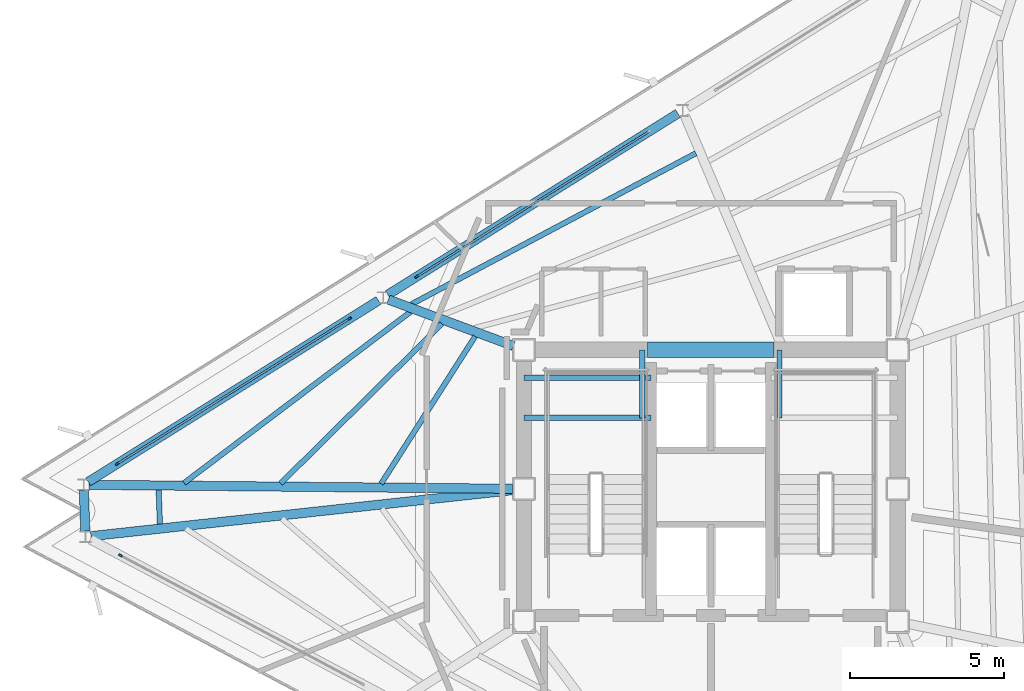
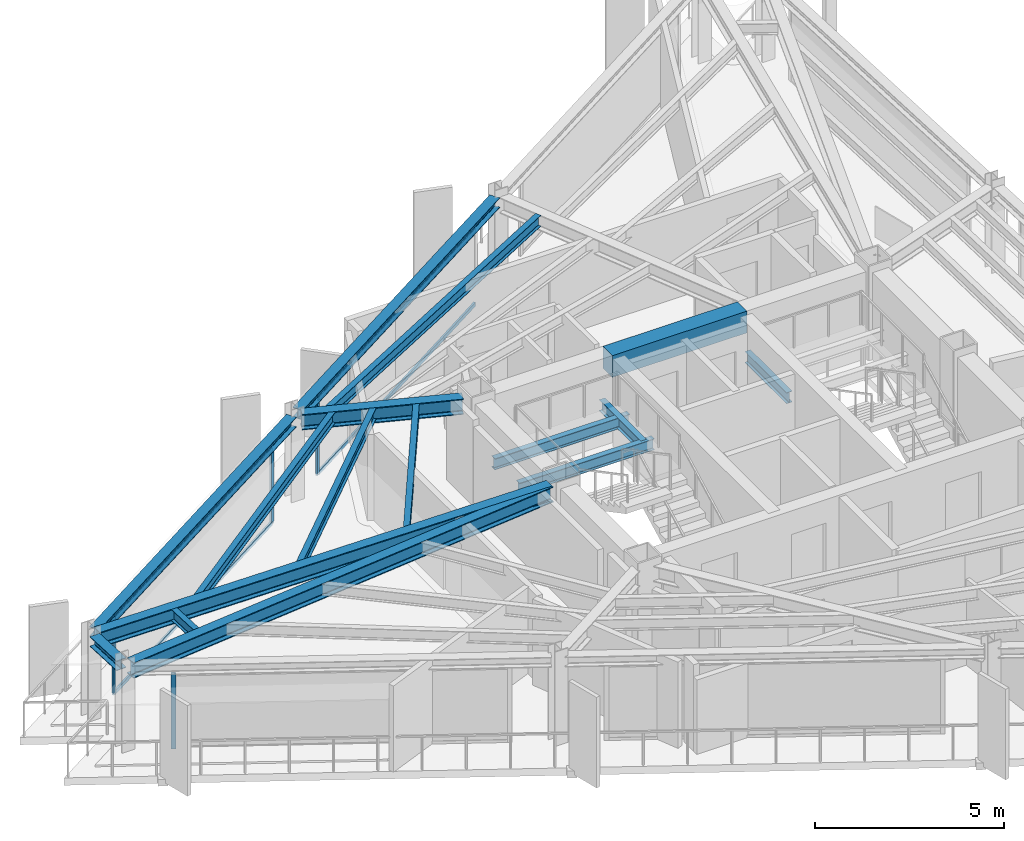
# One storey, part 4 of 12: 16 beams, 8 members, 3 elements without a shape of their own.
"""IFC4 building model written with IfcOpenShell, lengths in metres."""

from ifc_helpers import new_model, si_unit, direction, frame, origin, origin_2d, place, context, subcontext, project, spatial, rectangle, i_section, extrude, material, layer, layer_set, material_profile, profile_set, type_object, element, aggregate, save


model = new_model("IFC4")

# Units and contexts
model_context = context("Model", 3, precision=1e-05, world=origin(), true_north=direction((0.0, 1.0)))
body_context = subcontext(model_context, "Body", "Model", "MODEL_VIEW")
ifc_project = project(units=[si_unit("LENGTHUNIT", "METRE"), si_unit("AREAUNIT", "SQUARE_METRE"), si_unit("VOLUMEUNIT", "CUBIC_METRE"), si_unit("PLANEANGLEUNIT", "RADIAN"), si_unit("MASSUNIT", "GRAM", prefix="KILO")], contexts=[model_context])

# Site, building, storey
site_placement = place(None, origin())
site = spatial("IfcSite", under=ifc_project, at=site_placement, CompositionType="ELEMENT")
building_placement = place(site_placement, origin())
building = spatial("IfcBuilding", under=site, at=building_placement, Name="Rocaltana Carrier Exchange", CompositionType="ELEMENT")
storey_placement = place(building_placement, frame((0.0, 0.0, 205.760009765625)))
storey = spatial("IfcBuildingStorey", under=building, at=storey_placement, Name="L65", CompositionType="ELEMENT", Elevation=205.760009765625)

# Curtain wall, member
ifc_material_1 = material(Name="Aluminium 6063-T6", Category="aluminium")
ifc_layer = layer(ifc_material_1, 0.1201171875)
ifc_layer_set = layer_set([ifc_layer], Name="Aluminium 6063-T6")
curtain_wall_type = type_object("IfcCurtainWallType", Name="High-Altitude Thermal Curtain Wall CW-05", PredefinedType="NOTDEFINED", material=ifc_layer_set)
curtain_wall_1_placement = place(storey_placement, origin())
curtain_wall_1 = element("IfcCurtainWall", 1, at=curtain_wall_1_placement, inside=storey, type_object=curtain_wall_type, Name="L65 CW-05 Run CW-L65-F2S2", PredefinedType="NOTDEFINED")
ifc_material_2 = material(Name="Aluminium 6063-T6", Category="aluminium")
ifc_material_profile_1 = material_profile(ifc_material_2, rectangle(XDim=0.06005859375, YDim=0.1201171875, at=origin_2d()), Name="AL-60X120")
ifc_profile_set_1 = profile_set([ifc_material_profile_1], Name="Aluminium 6063-T6")
member_type_1 = type_object("IfcMemberType", Name="CW-05 Mullion AL-60X120", PredefinedType="MULLION", material=ifc_profile_set_1)
member_1_placement = place(storey_placement, frame((-9.52490234375, 6.870849609375, 0.0), z_axis=(0.0, 0.0, 1.0), x_axis=(0.529920452816, -0.848047353446, 0.0)))
member_1 = element("IfcMember", 2, at=member_1_placement, type_object=member_type_1, Name="CW-05 mullion 2", PredefinedType="MULLION", context=body_context, shape_type="SweptSolid", body=[
    extrude(rectangle(XDim=0.06005859375, YDim=0.1201171875, at=origin_2d()), origin(), (0.0, 0.0, 1.0), 2.447998046875),
])

# Curtain wall, members
curtain_wall_2_placement = place(storey_placement, origin())
curtain_wall_2 = element("IfcCurtainWall", 3, at=curtain_wall_2_placement, inside=storey, type_object=curtain_wall_type, Name="L65 CW-05 Run CW-L65-F2S3", PredefinedType="NOTDEFINED")
member_2_placement = place(storey_placement, frame((-11.696044921875, 5.514404296875, 0.0), z_axis=(0.0, 0.0, 1.0), x_axis=(0.529915422228, -0.848050496896, 0.0)))
member_2 = element("IfcMember", 4, at=member_2_placement, type_object=member_type_1, Name="CW-05 mullion 1", PredefinedType="MULLION", context=body_context, shape_type="SweptSolid", body=[
    extrude(rectangle(XDim=0.06005859375, YDim=0.1201171875, at=origin_2d()), origin(), (0.0, 0.0, 1.0), 2.447998046875),
])
member_3_placement = place(storey_placement, frame((-19.220947265625, 0.812255859375, 0.0), z_axis=(0.0, 0.0, 1.0), x_axis=(0.529915422228, -0.848050496896, 0.0)))
member_3 = element("IfcMember", 5, at=member_3_placement, type_object=member_type_1, Name="CW-05 mullion 2", PredefinedType="MULLION", context=body_context, shape_type="SweptSolid", body=[
    extrude(rectangle(XDim=0.06005859375, YDim=0.1201171875, at=origin_2d()), origin(), (0.0, 0.0, 1.0), 2.447998046875),
])

# Curtain wall, member
curtain_wall_3_placement = place(storey_placement, origin())
curtain_wall_3 = element("IfcCurtainWall", 6, at=curtain_wall_3_placement, inside=storey, type_object=curtain_wall_type, Name="L65 CW-05 Run CW-L65-F3S1", PredefinedType="NOTDEFINED")
member_4_placement = place(storey_placement, frame((-19.11767578125, -2.15087890625, 0.0), z_axis=(0.0, 0.0, 1.0), x_axis=(0.469483388841, 0.882941304732, 0.0)))
member_4 = element("IfcMember", 7, at=member_4_placement, type_object=member_type_1, Name="CW-05 mullion 1", PredefinedType="MULLION", context=body_context, shape_type="SweptSolid", body=[
    extrude(rectangle(XDim=0.06005859375, YDim=0.1201171875, at=origin_2d()), origin(), (0.0, 0.0, 1.0), 2.447998046875),
])
aggregate(curtain_wall_3, [member_4])

# Member
ifc_material_3 = material(Name="Aluminium 6063-T6", Category="aluminium")
ifc_material_profile_2 = material_profile(ifc_material_3, rectangle(XDim=0.06005859375, YDim=0.1201171875, at=origin_2d()), Name="AL-60X120")
ifc_profile_set_2 = profile_set([ifc_material_profile_2], Name="Aluminium 6063-T6")
member_type_2 = type_object("IfcMemberType", Name="CW-05 Transom AL-60X120", PredefinedType="USERDEFINED", material=ifc_profile_set_2)
member_5_placement = place(storey_placement, frame((-2.025390625, 11.55712890625, 0.030029296875), z_axis=(-0.848044988156, -0.529924238042, 0.0), x_axis=(0.529924238042, -0.848044988156, 0.0)))
member_5 = element("IfcMember", 8, at=member_5_placement, type_object=member_type_2, Name="CW-05 transom 1.1", ObjectType="TRANSOM", PredefinedType="USERDEFINED", context=body_context, shape_type="SweptSolid", body=[
    extrude(rectangle(XDim=0.06005859375, YDim=0.1201171875, at=origin_2d()), origin(), (0.0, 0.0, 1.0), 8.813232421875),
])

member_6_placement = place(storey_placement, frame((-2.025390625, 11.55712890625, 2.41796875), z_axis=(-0.848044988156, -0.529924238042, 0.0), x_axis=(0.529924238042, -0.848044988156, 0.0)))
member_6 = element("IfcMember", 9, at=member_6_placement, type_object=member_type_2, Name="CW-05 transom 1.2", ObjectType="TRANSOM", PredefinedType="USERDEFINED", context=body_context, shape_type="SweptSolid", body=[
    extrude(rectangle(XDim=0.06005859375, YDim=0.1201171875, at=origin_2d()), origin(), (0.0, 0.0, 1.0), 8.813232421875),
])

aggregate(curtain_wall_1, [member_1, member_5, member_6])

member_7_placement = place(storey_placement, frame((-11.721435546875, 5.498291015625, 0.030029296875), z_axis=(-0.848057437019, -0.529904315435, 0.0), x_axis=(0.529904315435, -0.848057437019, 0.0)))
member_7 = element("IfcMember", 10, at=member_7_placement, type_object=member_type_2, Name="CW-05 transom 1.1", ObjectType="TRANSOM", PredefinedType="USERDEFINED", context=body_context, shape_type="SweptSolid", body=[
    extrude(rectangle(XDim=0.06005859375, YDim=0.1201171875, at=origin_2d()), origin(), (0.0, 0.0, 1.0), 8.813232421875),
])

member_8_placement = place(storey_placement, frame((-11.721435546875, 5.498291015625, 2.41796875), z_axis=(-0.848057437019, -0.529904315435, 0.0), x_axis=(0.529904315435, -0.848057437019, 0.0)))
member_8 = element("IfcMember", 11, at=member_8_placement, type_object=member_type_2, Name="CW-05 transom 1.2", ObjectType="TRANSOM", PredefinedType="USERDEFINED", context=body_context, shape_type="SweptSolid", body=[
    extrude(rectangle(XDim=0.06005859375, YDim=0.1201171875, at=origin_2d()), origin(), (0.0, 0.0, 1.0), 8.813232421875),
])

aggregate(curtain_wall_2, [member_2, member_3, member_7, member_8])

# Beams
ifc_material_4 = material(Name="Concrete C60/75", Category="concrete")
ifc_material_profile_3 = material_profile(ifc_material_4, rectangle(XDim=0.5, YDim=0.699951171875, at=origin_2d()), Name="RC-BM-500X700")
ifc_profile_set_3 = profile_set([ifc_material_profile_3], Name="Concrete C60/75")
beam_type_1 = type_object("IfcBeamType", Name="Core Coupling Lintel 500x700", PredefinedType="LINTEL", material=ifc_profile_set_3)
beam_1_placement = place(storey_placement, frame((-2.050048828125, 4.5, 2.447998046875), z_axis=(1.0, 0.0, 0.0), x_axis=(0.0, 1.0, 0.0)))
element("IfcBeam", 12, at=beam_1_placement, inside=storey, type_object=beam_type_1, Name="L65 Core Coupling Lintel CL-N", PredefinedType="LINTEL", context=body_context, shape_type="SweptSolid", body=[
    extrude(rectangle(XDim=0.5, YDim=0.699951171875, at=origin_2d()), origin(), (0.0, 0.0, 1.0), 4.10009765625),
])
ifc_material_5 = material(Name="Steel S355", Category="steel")
ifc_material_profile_4 = material_profile(ifc_material_5, i_section(OverallWidth=0.172119140625, OverallDepth=0.35791015625, WebThickness=0.0078125, FlangeThickness=0.01318359375, FilletRadius=0.011962890625, at=origin_2d()), Name="W14X38")
ifc_profile_set_4 = profile_set([ifc_material_profile_4], Name="Steel S355")
beam_type_2 = type_object("IfcBeamType", Name="Floor Joist W14X38", PredefinedType="JOIST", material=ifc_profile_set_4)
for number, where, z_axis, x_axis, name in (
    (13, (-6.050048828125, 2.300048828125, 1.140869140625), (1.0, 0.0, 0.0), (0.0, 1.0, 0.0), "L65 ST-1 Landing Carrier 1"),
    (14, (-6.050048828125, 3.60009765625, 1.140869140625), (1.0, 0.0, 0.0), (0.0, 1.0, 0.0), "L65 ST-1 Landing Carrier 2"),
):
    element("IfcBeam", number, at=place(storey_placement, frame(where, z_axis=z_axis, x_axis=x_axis)), inside=storey, type_object=beam_type_2, Name=name, PredefinedType="JOIST", context=body_context, shape_type="SweptSolid", body=[
        extrude(i_section(OverallWidth=0.172119140625, OverallDepth=0.35791015625, WebThickness=0.0078125, FlangeThickness=0.01318359375, FilletRadius=0.011962890625, at=origin_2d()), origin(), (0.0, 0.0, 1.0), 4.110107421875),
    ])
for number, where, z_axis, x_axis, name in (
    (15, (-2.219970703125, 2.300048828125, 1.140869140625), (0.0, 1.0, 0.0), (-1.0, 0.0, 0.0), "L65 ST-1 Landing Cross Trimmer"),
    (16, (2.219970703125, 2.300048828125, 1.140869140625), (0.0, 1.0, 0.0), (-1.0, 0.0, 0.0), "L65 ST-2 Landing Cross Trimmer"),
):
    element("IfcBeam", number, at=place(storey_placement, frame(where, z_axis=z_axis, x_axis=x_axis)), inside=storey, type_object=beam_type_2, Name=name, PredefinedType="JOIST", context=body_context, shape_type="SweptSolid", body=[
        extrude(i_section(OverallWidth=0.172119140625, OverallDepth=0.35791015625, WebThickness=0.0078125, FlangeThickness=0.01318359375, FilletRadius=0.011962890625, at=origin_2d()), origin(), (0.0, 0.0, 1.0), 2.199951171875),
    ])
beam_2_placement = place(storey_placement, frame((-0.48681640625, 10.8662109375, 2.618896484375), z_axis=(-0.883312459796, -0.468784703643, 0.0), x_axis=(0.468784703643, -0.883312459796, 0.0)))
element("IfcBeam", 17, at=beam_2_placement, inside=storey, type_object=beam_type_2, Name="FJ-L65-06-3", PredefinedType="JOIST", context=body_context, shape_type="SweptSolid", body=[
    extrude(i_section(OverallWidth=0.172119140625, OverallDepth=0.35791015625, WebThickness=0.0078125, FlangeThickness=0.01318359375, FilletRadius=0.011962890625, at=origin_2d()), origin(), (0.0, 0.0, 1.0), 10.439453125),
])
beam_3_placement = place(storey_placement, frame((-7.63232421875, 4.937255859375, 2.618896484375), z_axis=(-0.537927212261, -0.842991289581, 0.0), x_axis=(0.842991289581, -0.537927212261, 0.0)))
element("IfcBeam", 18, at=beam_3_placement, inside=storey, type_object=beam_type_2, Name="FJ-L65-07-1", PredefinedType="JOIST", context=body_context, shape_type="SweptSolid", body=[
    extrude(i_section(OverallWidth=0.172119140625, OverallDepth=0.35791015625, WebThickness=0.0078125, FlangeThickness=0.01318359375, FilletRadius=0.011962890625, at=origin_2d()), origin(), (0.0, 0.0, 1.0), 5.660400390625),
])
beam_4_placement = place(storey_placement, frame((-8.706298828125, 5.3466796875, 2.618896484375), z_axis=(-0.710816811973, -0.703377181757, 0.0), x_axis=(0.703377181757, -0.710816811973, 0.0)))
element("IfcBeam", 19, at=beam_4_placement, inside=storey, type_object=beam_type_2, Name="FJ-L65-07-2", PredefinedType="JOIST", context=body_context, shape_type="SweptSolid", body=[
    extrude(i_section(OverallWidth=0.172119140625, OverallDepth=0.35791015625, WebThickness=0.0078125, FlangeThickness=0.01318359375, FilletRadius=0.011962890625, at=origin_2d()), origin(), (0.0, 0.0, 1.0), 7.350830078125),
])
beam_5_placement = place(storey_placement, frame((-9.72216796875, 5.7333984375, 2.618896484375), z_axis=(-0.797798617064, -0.602924013961, 0.0), x_axis=(0.602924013961, -0.797798617064, 0.0)))
element("IfcBeam", 20, at=beam_5_placement, inside=storey, type_object=beam_type_2, Name="FJ-L65-07-3", PredefinedType="JOIST", context=body_context, shape_type="SweptSolid", body=[
    extrude(i_section(OverallWidth=0.172119140625, OverallDepth=0.35791015625, WebThickness=0.0078125, FlangeThickness=0.01318359375, FilletRadius=0.011962890625, at=origin_2d()), origin(), (0.0, 0.0, 1.0), 9.19189453125),
])
beam_6_placement = place(storey_placement, frame((-17.8779296875, -0.03271484375, 2.618896484375), z_axis=(0.034954429443, -0.999388907214, 0.0), x_axis=(0.999388907214, 0.034954429443, 0.0)))
element("IfcBeam", 21, at=beam_6_placement, inside=storey, type_object=beam_type_2, Name="FJ-L65-08-3", PredefinedType="JOIST", context=body_context, shape_type="SweptSolid", body=[
    extrude(i_section(OverallWidth=0.172119140625, OverallDepth=0.35791015625, WebThickness=0.0078125, FlangeThickness=0.01318359375, FilletRadius=0.011962890625, at=origin_2d()), origin(), (0.0, 0.0, 1.0), 1.110595703125),
])
ifc_material_6 = material(Name="Steel S355", Category="steel")
ifc_material_profile_5 = material_profile(ifc_material_6, i_section(OverallWidth=0.300048828125, OverallDepth=0.320068359375, WebThickness=0.011474609375, FlangeThickness=0.0205078125, FilletRadius=0.027099609375, at=origin_2d()), Name="HEB320")
ifc_profile_set_5 = profile_set([ifc_material_profile_5], Name="Steel S355")
beam_type_3 = type_object("IfcBeamType", Name="Spandrel Edge Beam HEB320", PredefinedType="SPANDREL", material=ifc_profile_set_5)
beam_7_placement = place(storey_placement, frame((-1.066650390625, 12.15625, 2.637939453125), z_axis=(-0.84804288723, -0.529927600167, 0.0), x_axis=(0.529927600167, -0.84804288723, 0.0)))
element("IfcBeam", 22, at=beam_7_placement, inside=storey, type_object=beam_type_3, Name="SP-L65-06", PredefinedType="SPANDREL", context=body_context, shape_type="SweptSolid", body=[
    extrude(i_section(OverallWidth=0.300048828125, OverallDepth=0.320068359375, WebThickness=0.011474609375, FlangeThickness=0.0205078125, FilletRadius=0.027099609375, at=origin_2d()), origin(), (0.0, 0.0, 1.0), 11.074462890625),
])
beam_8_placement = place(storey_placement, frame((-10.7626953125, 6.097412109375, 2.637939453125), z_axis=(-0.848052794435, -0.529911745342, 0.0), x_axis=(0.529911745342, -0.848052794435, 0.0)))
element("IfcBeam", 23, at=beam_8_placement, inside=storey, type_object=beam_type_3, Name="SP-L65-07", PredefinedType="SPANDREL", context=body_context, shape_type="SweptSolid", body=[
    extrude(i_section(OverallWidth=0.300048828125, OverallDepth=0.320068359375, WebThickness=0.011474609375, FlangeThickness=0.0205078125, FilletRadius=0.027099609375, at=origin_2d()), origin(), (0.0, 0.0, 1.0), 11.07421875),
])
beam_9_placement = place(storey_placement, frame((-20.30029296875, -0.04541015625, 2.637939453125), z_axis=(0.034798366397, -0.999394353444, 0.0), x_axis=(0.999394353444, 0.034798366397, 0.0)))
element("IfcBeam", 24, at=beam_9_placement, inside=storey, type_object=beam_type_3, Name="SP-L65-08", PredefinedType="SPANDREL", context=body_context, shape_type="SweptSolid", body=[
    extrude(i_section(OverallWidth=0.300048828125, OverallDepth=0.320068359375, WebThickness=0.011474609375, FlangeThickness=0.0205078125, FilletRadius=0.027099609375, at=origin_2d()), origin(), (0.0, 0.0, 1.0), 1.325927734375),
])
ifc_material_7 = material(Name="Steel S355", Category="steel")
ifc_material_profile_6 = material_profile(ifc_material_7, i_section(OverallWidth=0.300048828125, OverallDepth=0.5, WebThickness=0.014404296875, FlangeThickness=0.028076171875, FilletRadius=0.027099609375, at=origin_2d()), Name="HEB500")
ifc_profile_set_6 = profile_set([ifc_material_profile_6], Name="Steel S355")
beam_type_4 = type_object("IfcBeamType", Name="Upper Radial Girder HEB500", PredefinedType="BEAM", material=ifc_profile_set_6)
beam_10_placement = place(storey_placement, frame((-6.39404296875, 4.627685546875, 2.548095703125), z_axis=(-0.937511191084, 0.34795512152, 0.0), x_axis=(-0.34795512152, -0.937511191084, 0.0)))
element("IfcBeam", 25, at=beam_10_placement, inside=storey, type_object=beam_type_4, Name="RG-L65-07", PredefinedType="BEAM", context=body_context, shape_type="SweptSolid", body=[
    extrude(i_section(OverallWidth=0.300048828125, OverallDepth=0.5, WebThickness=0.014404296875, FlangeThickness=0.028076171875, FilletRadius=0.027099609375, at=origin_2d()), origin(), (0.0, 0.0, 1.0), 4.31787109375),
])
beam_11_placement = place(storey_placement, frame((-6.4169921875, 0.00341796875, 2.548095703125), z_axis=(-0.999955969385, 0.009383991236, 0.0), x_axis=(-0.009383991236, -0.999955969385, 0.0)))
element("IfcBeam", 26, at=beam_11_placement, inside=storey, type_object=beam_type_4, Name="RG-L65-08", PredefinedType="BEAM", context=body_context, shape_type="SweptSolid", body=[
    extrude(i_section(OverallWidth=0.300048828125, OverallDepth=0.5, WebThickness=0.014404296875, FlangeThickness=0.028076171875, FilletRadius=0.027099609375, at=origin_2d()), origin(), (0.0, 0.0, 1.0), 13.710693359375),
])
beam_12_placement = place(storey_placement, frame((-6.414794921875, -0.039794921875, 2.548095703125), z_axis=(-0.994093254209, -0.108529267646, 0.0), x_axis=(0.108529267646, -0.994093254209, 0.0)))
element("IfcBeam", 27, at=beam_12_placement, inside=storey, type_object=beam_type_4, Name="RG-L65-09", PredefinedType="BEAM", context=body_context, shape_type="SweptSolid", body=[
    extrude(i_section(OverallWidth=0.300048828125, OverallDepth=0.5, WebThickness=0.014404296875, FlangeThickness=0.028076171875, FilletRadius=0.027099609375, at=origin_2d()), origin(), (0.0, 0.0, 1.0), 13.735595703125),
])

save(model, "model.ifc")
